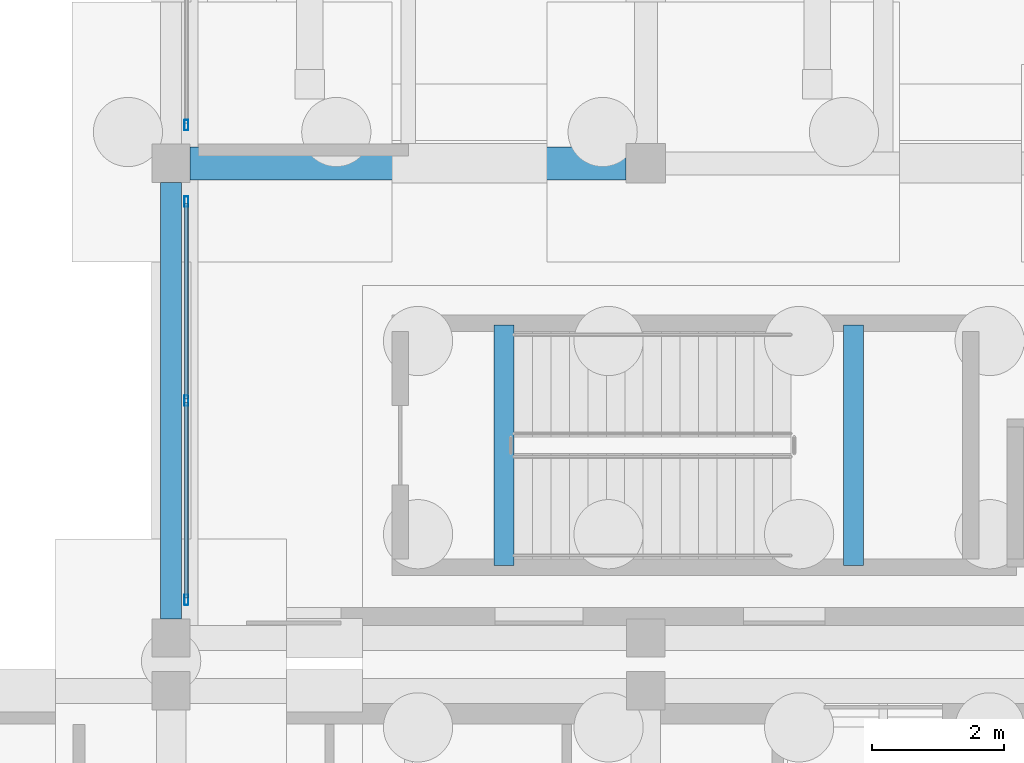
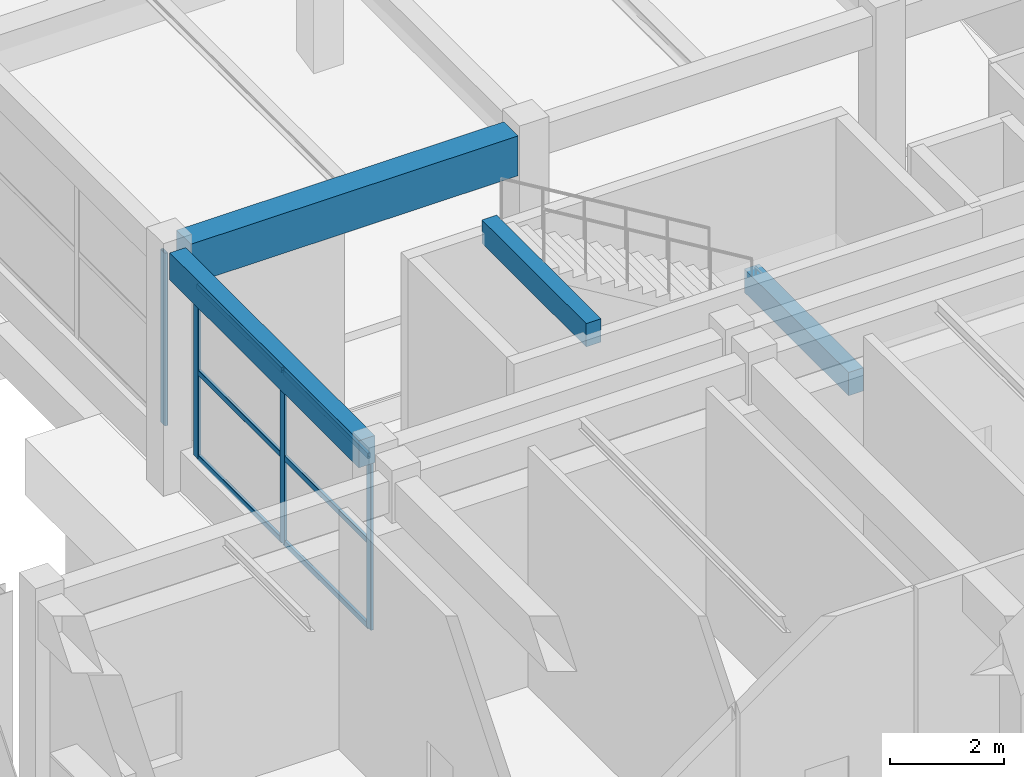
# One storey, part 48 of 91: 10 members, 4 beams, 2 elements without a shape of their own.
"""IFC4 building model written with IfcOpenShell, lengths in metres."""

from ifc_helpers import new_model, si_unit, direction, frame, origin, origin_2d, place, context, subcontext, project, spatial, rectangle, hollow_rectangle, extrude, material, material_profile, profile_set, type_object, element, aggregate, save


model = new_model("IFC4")

# Units and contexts
model_context = context("Model", 3, precision=1e-05, world=origin(), true_north=direction((0.0, 1.0)))
body_context = subcontext(model_context, "Body", "Model", "MODEL_VIEW")
ifc_project = project(units=[si_unit("LENGTHUNIT", "METRE"), si_unit("AREAUNIT", "SQUARE_METRE"), si_unit("VOLUMEUNIT", "CUBIC_METRE"), si_unit("PLANEANGLEUNIT", "RADIAN"), si_unit("MASSUNIT", "GRAM", prefix="KILO")], contexts=[model_context])

# Site, building, storey
site_placement = place(None, origin())
site = spatial("IfcSite", under=ifc_project, at=site_placement, CompositionType="ELEMENT")
building_placement = place(site_placement, origin())
building = spatial("IfcBuilding", under=site, at=building_placement, Name="Bramveld Media Centre", CompositionType="ELEMENT")
storey_placement = place(building_placement, origin())
storey = spatial("IfcBuildingStorey", under=building, at=storey_placement, Name="L00", CompositionType="ELEMENT", Elevation=0.0)

# Beams
ifc_material_1 = material(Name="Concrete C40/50", Category="concrete")
ifc_material_profile_1 = material_profile(ifc_material_1, rectangle(XDim=0.300048828125, YDim=0.5, at=origin_2d()), Name="RC 300x500")
ifc_profile_set_1 = profile_set([ifc_material_profile_1], Name="Concrete C40/50")
beam_type_1 = type_object("IfcBeamType", Name="BM-INT-RC-300x500", PredefinedType="BEAM", material=ifc_profile_set_1)
for number, where, z_axis, x_axis, name in (
    (1, (136.25, 40.300048828125, 5.14990234375), (0.0, 1.0, 0.0), (-1.0, 0.0, 0.0), "ST-08 L01 stairwell landing trimmer beam"),
    (2, (141.550048828125, 40.300048828125, 2.25), (0.0, 1.0, 0.0), (-1.0, 0.0, 0.0), "ST-08 L00 stairwell half-landing support beam"),
):
    element("IfcBeam", number, at=place(storey_placement, frame(where, z_axis=z_axis, x_axis=x_axis)), inside=storey, type_object=beam_type_1, Name=name, PredefinedType="BEAM", context=body_context, shape_type="SweptSolid", body=[
        extrude(rectangle(XDim=0.300048828125, YDim=0.5, at=origin_2d()), origin(), (0.0, 0.0, 1.0), 3.64990234375),
    ])
ifc_material_2 = material(Name="Concrete C40/50", Category="concrete")
ifc_material_profile_2 = material_profile(ifc_material_2, rectangle(XDim=0.5, YDim=0.85009765625, at=origin_2d()), Name="RC 500x850")
ifc_profile_set_2 = profile_set([ifc_material_profile_2], Name="Concrete C40/50")
beam_type_2 = type_object("IfcBeamType", Name="BM-INT-RC-500x850", PredefinedType="BEAM", material=ifc_profile_set_2)
beam_1_placement = place(storey_placement, frame((131.489990234375, 46.39990234375, 4.735107421875), z_axis=(1.0, 0.0, 0.0), x_axis=(0.0, 1.0, 0.0)))
element("IfcBeam", 3, at=beam_1_placement, inside=storey, type_object=beam_type_2, Name="V4 L00 girder X-457", PredefinedType="BEAM", context=body_context, shape_type="SweptSolid", body=[
    extrude(rectangle(XDim=0.5, YDim=0.85009765625, at=origin_2d()), origin(), (0.0, 0.0, 1.0), 6.610107421875),
])

# Curtain wall, members
ifc_material_3 = material(Name="Thermally broken anodized bronze aluminium unitized curtain wall with solar-control triple glazing", Category="aluminium")
curtain_wall_type = type_object("IfcCurtainWallType", Name="CW-FACV4-6100x3690", PredefinedType="NOTDEFINED", material=ifc_material_3)
curtain_wall_1_placement = place(storey_placement, origin())
curtain_wall_1 = element("IfcCurtainWall", 4, at=curtain_wall_1_placement, inside=storey, type_object=curtain_wall_type, Name="V4 L00 W curtain wall bay 1", PredefinedType="NOTDEFINED")
ifc_material_4 = material(Name="Thermally broken anodized bronze aluminium EN AW-6063 T6 curtain-wall framing", Category="aluminium")
ifc_material_profile_3 = material_profile(ifc_material_4, hollow_rectangle(XDim=0.06005859375, YDim=0.159912109375, WallThickness=0.00390625, InnerFilletRadius=0.00390625, OuterFilletRadius=0.008056640625, at=origin_2d()), Name="AL-MULL 60x160")
ifc_profile_set_3 = profile_set([ifc_material_profile_3], Name="Thermally broken anodized bronze aluminium EN AW-6063 T6 curtain-wall framing")
member_type_1 = type_object("IfcMemberType", Name="CW-MULL-EXT", PredefinedType="MULLION", material=ifc_profile_set_3)
member_1_placement = place(storey_placement, frame((131.429931640625, 39.780029296875, 0.85009765625), z_axis=(0.0, 0.0, 1.0), x_axis=(-1.0, 0.0, 0.0)))
member_1 = element("IfcMember", 5, at=member_1_placement, type_object=member_type_1, Name="CW-FA-6136 mullion 1", PredefinedType="MULLION", context=body_context, shape_type="SweptSolid", body=[
    extrude(hollow_rectangle(XDim=0.06005859375, YDim=0.159912109375, WallThickness=0.00390625, InnerFilletRadius=0.00390625, OuterFilletRadius=0.008056640625, at=origin_2d()), origin(), (0.0, 0.0, 1.0), 3.68994140625),
])
member_2_placement = place(storey_placement, frame((131.429931640625, 42.800048828125, 0.85009765625), z_axis=(0.0, 0.0, 1.0), x_axis=(-1.0, 0.0, 0.0)))
member_2 = element("IfcMember", 6, at=member_2_placement, type_object=member_type_1, Name="CW-FA-6136 mullion 2", PredefinedType="MULLION", context=body_context, shape_type="SweptSolid", body=[
    extrude(hollow_rectangle(XDim=0.06005859375, YDim=0.159912109375, WallThickness=0.00390625, InnerFilletRadius=0.00390625, OuterFilletRadius=0.008056640625, at=origin_2d()), origin(), (0.0, 0.0, 1.0), 3.68994140625),
])
member_3_placement = place(storey_placement, frame((131.429931640625, 45.820068359375, 0.85009765625), z_axis=(0.0, 0.0, 1.0), x_axis=(-1.0, 0.0, 0.0)))
member_3 = element("IfcMember", 7, at=member_3_placement, type_object=member_type_1, Name="CW-FA-6136 mullion 3", PredefinedType="MULLION", context=body_context, shape_type="SweptSolid", body=[
    extrude(hollow_rectangle(XDim=0.06005859375, YDim=0.159912109375, WallThickness=0.00390625, InnerFilletRadius=0.00390625, OuterFilletRadius=0.008056640625, at=origin_2d()), origin(), (0.0, 0.0, 1.0), 3.68994140625),
])

# Curtain wall, member
curtain_wall_2_placement = place(storey_placement, origin())
curtain_wall_2 = element("IfcCurtainWall", 8, at=curtain_wall_2_placement, inside=storey, type_object=curtain_wall_type, Name="V4 L00 W curtain wall bay 2", PredefinedType="NOTDEFINED")
member_4_placement = place(storey_placement, frame((131.429931640625, 46.97998046875, 0.85009765625), z_axis=(0.0, 0.0, 1.0), x_axis=(-1.0, 0.0, 0.0)))
member_4 = element("IfcMember", 9, at=member_4_placement, type_object=member_type_1, Name="CW-FA-6136 mullion 1", PredefinedType="MULLION", context=body_context, shape_type="SweptSolid", body=[
    extrude(hollow_rectangle(XDim=0.06005859375, YDim=0.159912109375, WallThickness=0.00390625, InnerFilletRadius=0.00390625, OuterFilletRadius=0.008056640625, at=origin_2d()), origin(), (0.0, 0.0, 1.0), 3.68994140625),
])
aggregate(curtain_wall_2, [member_4])

# Member
ifc_material_5 = material(Name="Thermally broken anodized bronze aluminium EN AW-6063 T6 curtain-wall framing", Category="aluminium")
ifc_material_profile_4 = material_profile(ifc_material_5, hollow_rectangle(XDim=0.06005859375, YDim=0.1201171875, WallThickness=0.00341796875, InnerFilletRadius=0.00341796875, OuterFilletRadius=0.007080078125, at=origin_2d()), Name="AL-TRAN 60x120")
ifc_profile_set_4 = profile_set([ifc_material_profile_4], Name="Thermally broken anodized bronze aluminium EN AW-6063 T6 curtain-wall framing")
member_type_2 = type_object("IfcMemberType", Name="CW-TRAN-EXT", PredefinedType="USERDEFINED", material=ifc_profile_set_4)
member_5_placement = place(storey_placement, frame((131.429931640625, 39.81005859375, 0.8798828125), z_axis=(0.0, 1.0, 0.0), x_axis=(-1.0, 0.0, 0.0)))
member_5 = element("IfcMember", 10, at=member_5_placement, type_object=member_type_2, Name="CW-FA-6136 transom 1.1", ObjectType="TRANSOM", PredefinedType="USERDEFINED", context=body_context, shape_type="SweptSolid", body=[
    extrude(hollow_rectangle(XDim=0.06005859375, YDim=0.1201171875, WallThickness=0.00341796875, InnerFilletRadius=0.00341796875, OuterFilletRadius=0.007080078125, at=origin_2d()), origin(), (0.0, 0.0, 1.0), 2.9599609375),
])

member_6_placement = place(storey_placement, frame((131.429931640625, 39.81005859375, 2.695068359375), z_axis=(0.0, 1.0, 0.0), x_axis=(-1.0, 0.0, 0.0)))
member_6 = element("IfcMember", 11, at=member_6_placement, type_object=member_type_2, Name="CW-FA-6136 transom 1.2", ObjectType="TRANSOM", PredefinedType="USERDEFINED", context=body_context, shape_type="SweptSolid", body=[
    extrude(hollow_rectangle(XDim=0.06005859375, YDim=0.1201171875, WallThickness=0.00341796875, InnerFilletRadius=0.00341796875, OuterFilletRadius=0.007080078125, at=origin_2d()), origin(), (0.0, 0.0, 1.0), 2.9599609375),
])

member_7_placement = place(storey_placement, frame((131.429931640625, 39.81005859375, 4.510009765625), z_axis=(0.0, 1.0, 0.0), x_axis=(-1.0, 0.0, 0.0)))
member_7 = element("IfcMember", 12, at=member_7_placement, type_object=member_type_2, Name="CW-FA-6136 transom 1.3", ObjectType="TRANSOM", PredefinedType="USERDEFINED", context=body_context, shape_type="SweptSolid", body=[
    extrude(hollow_rectangle(XDim=0.06005859375, YDim=0.1201171875, WallThickness=0.00341796875, InnerFilletRadius=0.00341796875, OuterFilletRadius=0.007080078125, at=origin_2d()), origin(), (0.0, 0.0, 1.0), 2.9599609375),
])

member_8_placement = place(storey_placement, frame((131.429931640625, 42.830078125, 0.8798828125), z_axis=(0.0, 1.0, 0.0), x_axis=(-1.0, 0.0, 0.0)))
member_8 = element("IfcMember", 13, at=member_8_placement, type_object=member_type_2, Name="CW-FA-6136 transom 2.1", ObjectType="TRANSOM", PredefinedType="USERDEFINED", context=body_context, shape_type="SweptSolid", body=[
    extrude(hollow_rectangle(XDim=0.06005859375, YDim=0.1201171875, WallThickness=0.00341796875, InnerFilletRadius=0.00341796875, OuterFilletRadius=0.007080078125, at=origin_2d()), origin(), (0.0, 0.0, 1.0), 2.9599609375),
])

member_9_placement = place(storey_placement, frame((131.429931640625, 42.830078125, 2.695068359375), z_axis=(0.0, 1.0, 0.0), x_axis=(-1.0, 0.0, 0.0)))
member_9 = element("IfcMember", 14, at=member_9_placement, type_object=member_type_2, Name="CW-FA-6136 transom 2.2", ObjectType="TRANSOM", PredefinedType="USERDEFINED", context=body_context, shape_type="SweptSolid", body=[
    extrude(hollow_rectangle(XDim=0.06005859375, YDim=0.1201171875, WallThickness=0.00341796875, InnerFilletRadius=0.00341796875, OuterFilletRadius=0.007080078125, at=origin_2d()), origin(), (0.0, 0.0, 1.0), 2.9599609375),
])

member_10_placement = place(storey_placement, frame((131.429931640625, 42.830078125, 4.510009765625), z_axis=(0.0, 1.0, 0.0), x_axis=(-1.0, 0.0, 0.0)))
member_10 = element("IfcMember", 15, at=member_10_placement, type_object=member_type_2, Name="CW-FA-6136 transom 2.3", ObjectType="TRANSOM", PredefinedType="USERDEFINED", context=body_context, shape_type="SweptSolid", body=[
    extrude(hollow_rectangle(XDim=0.06005859375, YDim=0.1201171875, WallThickness=0.00341796875, InnerFilletRadius=0.00341796875, OuterFilletRadius=0.007080078125, at=origin_2d()), origin(), (0.0, 0.0, 1.0), 2.9599609375),
])

aggregate(curtain_wall_1, [member_1, member_2, member_3, member_5, member_6, member_7, member_8, member_9, member_10])

# Beam
ifc_material_6 = material(Name="Concrete C40/50", Category="concrete")
ifc_material_profile_5 = material_profile(ifc_material_6, rectangle(XDim=0.320068359375, YDim=0.580078125, at=origin_2d()), Name="RC 320x580")
ifc_profile_set_5 = profile_set([ifc_material_profile_5], Name="Concrete C40/50")
beam_type_3 = type_object("IfcBeamType", Name="SPANDREL-EXT-RC-320x580", PredefinedType="SPANDREL", material=ifc_profile_set_5)
beam_2_placement = place(storey_placement, frame((131.199951171875, 39.489990234375, 4.8701171875), z_axis=(0.0, 1.0, 0.0), x_axis=(-1.0, 0.0, 0.0)))
element("IfcBeam", 16, at=beam_2_placement, inside=storey, type_object=beam_type_3, Name="V4 L00 girder Y-477", PredefinedType="SPANDREL", context=body_context, shape_type="SweptSolid", body=[
    extrude(rectangle(XDim=0.320068359375, YDim=0.580078125, at=origin_2d()), origin(), (0.0, 0.0, 1.0), 6.6201171875),
])

save(model, "model.ifc")
